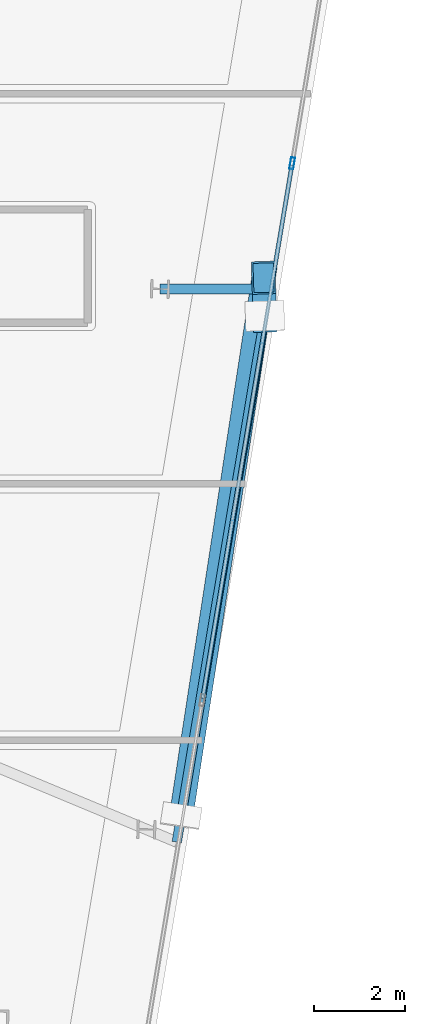
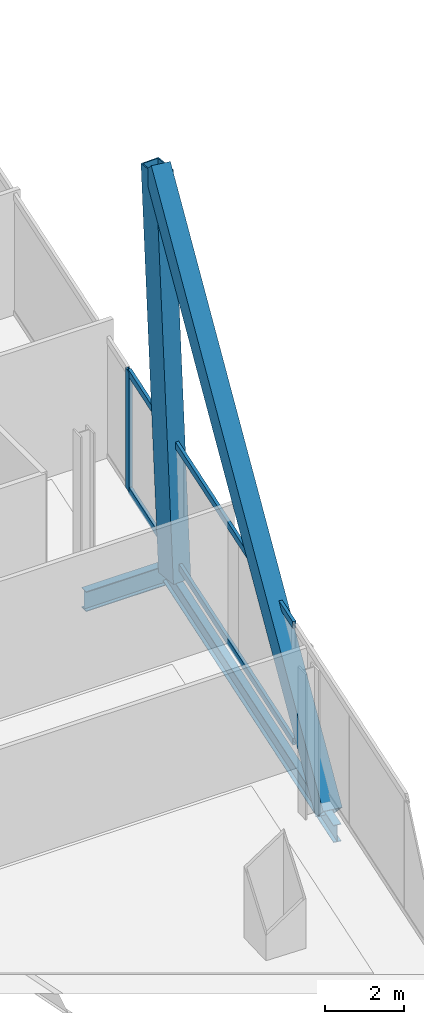
# One storey, part 7 of 18: 5 members, 2 beams, 1 element without a shape of its own.
"""IFC4 building model written with IfcOpenShell, lengths in metres."""

from ifc_helpers import new_model, si_unit, direction, frame, origin, origin_2d, place, context, subcontext, project, spatial, hollow_rectangle, i_section, extrude, material, material_profile, profile_set, type_object, element, aggregate, save


model = new_model("IFC4")

# Units and contexts
model_context = context("Model", 3, precision=1e-05, world=origin(), true_north=direction((0.0, 1.0)))
body_context = subcontext(model_context, "Body", "Model", "MODEL_VIEW")
ifc_project = project(units=[si_unit("LENGTHUNIT", "METRE"), si_unit("AREAUNIT", "SQUARE_METRE"), si_unit("VOLUMEUNIT", "CUBIC_METRE"), si_unit("PLANEANGLEUNIT", "RADIAN"), si_unit("MASSUNIT", "GRAM", prefix="KILO")], contexts=[model_context])

# Site, building, storey
site_placement = place(None, origin())
site = spatial("IfcSite", under=ifc_project, at=site_placement, CompositionType="ELEMENT")
building_placement = place(site_placement, origin())
building = spatial("IfcBuilding", under=site, at=building_placement, Name="Haldenkirk Collegiate Tower", CompositionType="ELEMENT")
storey_placement = place(building_placement, frame((0.0, 0.0, 298.199951171875)))
storey = spatial("IfcBuildingStorey", under=building, at=storey_placement, Name="L75", CompositionType="ELEMENT", Elevation=298.199951171875)

# Beams
ifc_material_1 = material(Name="Steel ASTM A992 Grade 50", Category="steel")
ifc_material_profile_1 = material_profile(ifc_material_1, i_section(OverallWidth=0.22998046875, OverallDepth=0.616943359375, WebThickness=0.01318359375, FlangeThickness=0.022216796875, at=origin_2d()), Name="W24X94")
ifc_profile_set_1 = profile_set([ifc_material_profile_1], Name="Steel ASTM A992 Grade 50")
beam_type_1 = type_object("IfcBeamType", Name="BM-GIRDER-W24X94", PredefinedType="BEAM", material=ifc_profile_set_1)
beam_1_placement = place(storey_placement, frame((55.8935546875, 25.496337890625, -0.70849609375), z_axis=(1.0, 0.0, 0.0), x_axis=(0.0, 1.0, 0.0)))
element("IfcBeam", 1, at=beam_1_placement, inside=storey, type_object=beam_type_1, Name="L75 facade lookout girder 06", PredefinedType="BEAM", context=body_context, shape_type="SweptSolid", body=[
    extrude(i_section(OverallWidth=0.22998046875, OverallDepth=0.616943359375, WebThickness=0.01318359375, FlangeThickness=0.022216796875, at=origin_2d()), origin(), (0.0, 0.0, 1.0), 2.4091796875),
])
ifc_material_profile_2 = material_profile(ifc_material_1, i_section(OverallWidth=0.2099609375, OverallDepth=0.537109375, WebThickness=0.010986328125, FlangeThickness=0.017333984375, at=origin_2d()), Name="W21X68")
ifc_profile_set_2 = profile_set([ifc_material_profile_2], Name="Steel ASTM A992 Grade 50")
beam_type_2 = type_object("IfcBeamType", Name="BM-SPANDREL-W21X68", PredefinedType="SPANDREL", material=ifc_profile_set_2)
beam_2_placement = place(storey_placement, frame((56.2626953125, 13.3046875, -0.66845703125), z_axis=(0.165036311336, 0.986287491526, 0.0), x_axis=(-0.986287491526, 0.165036311336, 0.0)))
element("IfcBeam", 2, at=beam_2_placement, inside=storey, type_object=beam_type_2, Name="L75 outer facade edge beam 1", PredefinedType="SPANDREL", context=body_context, shape_type="SweptSolid", body=[
    extrude(i_section(OverallWidth=0.2099609375, OverallDepth=0.537109375, WebThickness=0.010986328125, FlangeThickness=0.017333984375, at=origin_2d()), origin(), (0.0, 0.0, 1.0), 12.361083984375),
])

# Curtain wall, members
ifc_material_2 = material(Name="Anodised architectural bronze aluminium", Category="aluminium")
curtain_wall_type = type_object("IfcCurtainWallType", Name="CW-SYS4-SKYGARDEN", PredefinedType="USERDEFINED", material=ifc_material_2)
curtain_wall_placement = place(storey_placement, origin())
curtain_wall = element("IfcCurtainWall", 3, at=curtain_wall_placement, inside=storey, type_object=curtain_wall_type, Name="L75 Sky-garden tall bronze curtain wall", ObjectType="UNITISED CURTAIN WALL", PredefinedType="USERDEFINED")
ifc_material_profile_3 = material_profile(ifc_material_2, hollow_rectangle(XDim=0.090087890625, YDim=0.260009765625, WallThickness=0.0048828125, at=origin_2d()), Name="CW-MUL-04")
ifc_profile_set_3 = profile_set([ifc_material_profile_3], Name="Anodised architectural bronze aluminium")
member_type_1 = type_object("IfcMemberType", Name="CW-MUL-04", PredefinedType="MULLION", material=ifc_profile_set_3)
member_1_placement = place(storey_placement, frame((58.806884765625, 28.266845703125, 0.0), z_axis=(0.0, 0.0, 1.0), x_axis=(0.986285150019, -0.165050304006, 0.0)))
member_1 = element("IfcMember", 4, at=member_1_placement, type_object=member_type_1, Name="CW-04 mullion 2", PredefinedType="MULLION", context=body_context, shape_type="SweptSolid", body=[
    extrude(hollow_rectangle(XDim=0.090087890625, YDim=0.260009765625, WallThickness=0.0048828125, at=origin_2d()), origin(), (0.0, 0.0, 1.0), 3.697998046875),
])
ifc_material_profile_4 = material_profile(ifc_material_2, hollow_rectangle(XDim=0.090087890625, YDim=0.2099609375, WallThickness=0.0048828125, at=origin_2d()), Name="CW-TRN-04")
ifc_profile_set_4 = profile_set([ifc_material_profile_4], Name="Anodised architectural bronze aluminium")
member_type_2 = type_object("IfcMemberType", Name="CW-TRN-04", PredefinedType="USERDEFINED", material=ifc_profile_set_4)
member_2_placement = place(storey_placement, frame((58.799560546875, 28.222412109375, 0.045166015625), z_axis=(-0.16505713156, -0.986284007435, 0.0), x_axis=(0.986284007435, -0.16505713156, 0.0)))
member_2 = element("IfcMember", 5, at=member_2_placement, type_object=member_type_2, Name="CW-04 transom 2.1", ObjectType="TRANSOM", PredefinedType="USERDEFINED", context=body_context, shape_type="SweptSolid", body=[
    extrude(hollow_rectangle(XDim=0.090087890625, YDim=0.2099609375, WallThickness=0.0048828125, at=origin_2d()), origin(), (0.0, 0.0, 1.0), 11.909912109375),
])
member_3_placement = place(storey_placement, frame((58.799560546875, 28.222412109375, 3.653076171875), z_axis=(-0.16505713156, -0.986284007435, 0.0), x_axis=(0.986284007435, -0.16505713156, 0.0)))
member_3 = element("IfcMember", 6, at=member_3_placement, type_object=member_type_2, Name="CW-04 transom 2.2", ObjectType="TRANSOM", PredefinedType="USERDEFINED", context=body_context, shape_type="SweptSolid", body=[
    extrude(hollow_rectangle(XDim=0.090087890625, YDim=0.2099609375, WallThickness=0.0048828125, at=origin_2d()), origin(), (0.0, 0.0, 1.0), 11.909912109375),
])
aggregate(curtain_wall, [member_1, member_2, member_3])

# Members
ifc_material_3 = material(Name="Steel ASTM A572 Grade 50", Category="steel")
ifc_material_profile_5 = material_profile(ifc_material_3, hollow_rectangle(XDim=0.52001953125, YDim=0.719970703125, WallThickness=0.035888671875, at=origin_2d()), Name="BOX720X520X36")
ifc_profile_set_5 = profile_set([ifc_material_profile_5], Name="Steel ASTM A572 Grade 50")
member_type_3 = type_object("IfcMemberType", Name="MBR-MEGABRACE-BOX720X520X36", PredefinedType="BRACE", material=ifc_profile_set_5)
member_4_placement = place(storey_placement, frame((56.361572265625, 13.896484375, -0.409912109375), z_axis=(0.106387867619, 0.694469202573, 0.711613763429), x_axis=(-0.988468516294, 0.151426524412, 0.0)))
element("IfcMember", 7, at=member_4_placement, inside=storey, type_object=member_type_3, Name="Perimeter Mega Brace Z6 L75-L77 SL", PredefinedType="BRACE", context=body_context, shape_type="SweptSolid", body=[
    extrude(hollow_rectangle(XDim=0.52001953125, YDim=0.719970703125, WallThickness=0.035888671875, at=origin_2d()), origin(), (0.0, 0.0, 1.0), 17.0595703125),
])
member_5_placement = place(storey_placement, frame((58.203857421875, 24.904541015625, -0.409912109375), z_axis=(-0.002247018055, 0.068975429221, 0.9976158284), x_axis=(-0.999469788923, -0.032559806969, 0.0)))
element("IfcMember", 8, at=member_5_placement, inside=storey, type_object=member_type_3, Name="Perimeter Mega Brace Z6 L75-L77 SR", PredefinedType="BRACE", context=body_context, shape_type="SweptSolid", body=[
    extrude(hollow_rectangle(XDim=0.52001953125, YDim=0.719970703125, WallThickness=0.035888671875, at=origin_2d()), origin(), (0.0, 0.0, 1.0), 12.1689453125),
])

save(model, "model.ifc")
